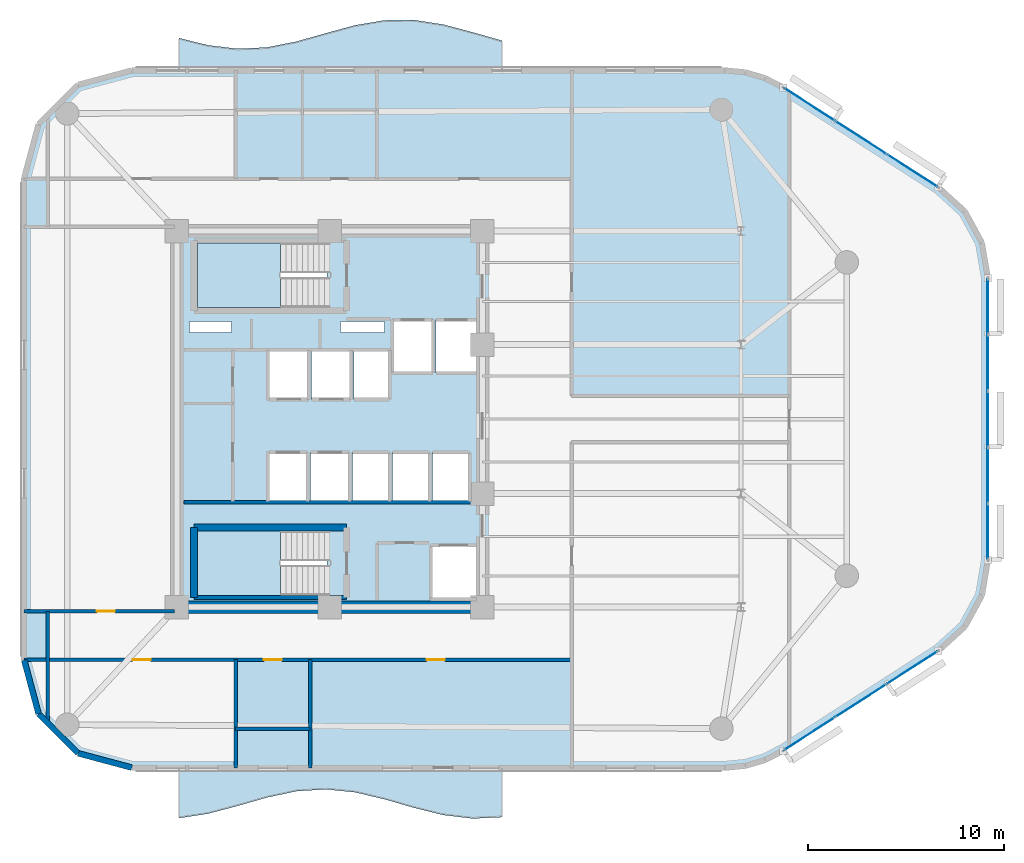
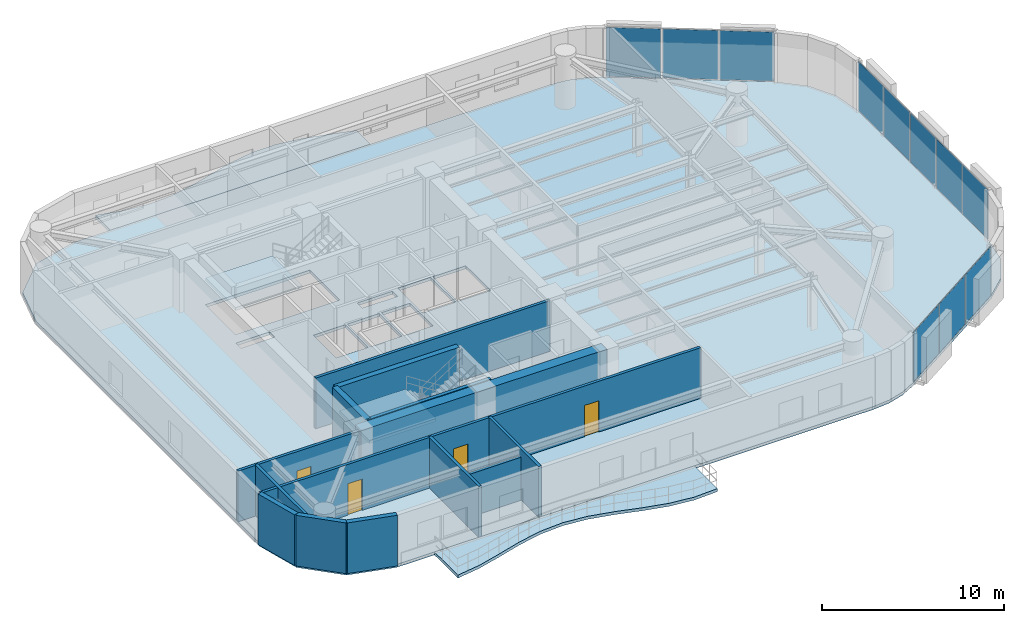
# One storey, part 9 of 14: 14 walls, 11 plates, 5 slabs, 4 doors, 4 openings, 5 elements without a shape of their own.
"""IFC4 building model written with IfcOpenShell, lengths in metres."""

from ifc_helpers import new_model, si_unit, direction, frame, frame_2d, origin, origin_2d, place, context, subcontext, project, spatial, polyline, rectangle, outline, extrude, material, layer, layer_set, type_object, element, fill, aggregate, save


model = new_model("IFC4")

# Units and contexts
model_context = context("Model", 3, precision=1e-05, world=origin(), true_north=direction((0.0, 1.0)))
body_context = subcontext(model_context, "Body", "Model", "MODEL_VIEW")
ifc_project = project(units=[si_unit("LENGTHUNIT", "METRE"), si_unit("AREAUNIT", "SQUARE_METRE"), si_unit("VOLUMEUNIT", "CUBIC_METRE"), si_unit("PLANEANGLEUNIT", "RADIAN"), si_unit("MASSUNIT", "GRAM", prefix="KILO")], contexts=[model_context])

# Site, building, storey
site_placement = place(None, origin())
site = spatial("IfcSite", under=ifc_project, at=site_placement, CompositionType="ELEMENT")
building_placement = place(site_placement, origin())
building = spatial("IfcBuilding", under=site, at=building_placement, Name="An Khanh Terracotta Commons", CompositionType="ELEMENT")
storey_placement = place(building_placement, frame((0.0, 0.0, 158.199951171875)))
storey = spatial("IfcBuildingStorey", under=building, at=storey_placement, Name="L41", CompositionType="ELEMENT", Elevation=158.199951171875)

# Curtain wall, plates
ifc_material_1 = material(Name="Anodised Aluminium 6063-T6", Category="aluminium")
ifc_layer_1 = layer(ifc_material_1, 0.2099609375, Name="Anodised Aluminium 6063-T6")
ifc_layer_set_1 = layer_set([ifc_layer_1], Name="Anodised Aluminium 6063-T6")
curtain_wall_type = type_object("IfcCurtainWallType", Name="CW-SYS-03", PredefinedType="USERDEFINED", material=ifc_layer_set_1)
curtain_wall_1_placement = place(storey_placement, origin())
curtain_wall_1 = element("IfcCurtainWall", 1, at=curtain_wall_1_placement, inside=storey, type_object=curtain_wall_type, Name="L41 CW-03 Unitised Curtain Wall CW-L41-08", ObjectType="UNITISED CURTAIN WALL", PredefinedType="USERDEFINED")
ifc_material_2 = material(Name="Acoustic Laminated Low-E Glazing", Category="glass")
ifc_layer_2 = layer(ifc_material_2, 0.035888671875, Name="Acoustic Laminated Low-E Glazing")
ifc_layer_set_2 = layer_set([ifc_layer_2], Name="Acoustic Laminated Low-E Glazing")
plate_type = type_object("IfcPlateType", Name="CWP-IGU-36", PredefinedType="CURTAIN_PANEL", material=ifc_layer_set_2)
plate_1_placement = place(storey_placement, frame((53.894287109375, 7.935546875, 0.0498046875), z_axis=(0.0, 0.0, 1.0), x_axis=(0.840702081986, 0.541497931062, 0.0)))
plate_1 = element("IfcPlate", 2, at=plate_1_placement, type_object=plate_type, Name="CW-03 panel 1.1", PredefinedType="CURTAIN_PANEL", context=body_context, shape_type="SweptSolid", body=[
    extrude(rectangle(XDim=3.034423828125, YDim=0.035888671875, at=origin_2d()), origin(), (0.0, 0.0, 1.0), 3.300048828125),
])
plate_2_placement = place(storey_placement, frame((56.51904296875, 9.6259765625, 0.0498046875), z_axis=(0.0, 0.0, 1.0), x_axis=(0.840702081986, 0.541497931062, 0.0)))
plate_2 = element("IfcPlate", 3, at=plate_2_placement, type_object=plate_type, Name="CW-03 panel 2.1", PredefinedType="CURTAIN_PANEL", context=body_context, shape_type="SweptSolid", body=[
    extrude(rectangle(XDim=3.0693359375, YDim=0.035888671875, at=origin_2d()), origin(), (0.0, 0.0, 1.0), 3.300048828125),
])
plate_3_placement = place(storey_placement, frame((59.1435546875, 11.31640625, 0.0498046875), z_axis=(0.0, 0.0, 1.0), x_axis=(0.840702081986, 0.541497931062, 0.0)))
plate_3 = element("IfcPlate", 4, at=plate_3_placement, type_object=plate_type, Name="CW-03 panel 3.1", PredefinedType="CURTAIN_PANEL", context=body_context, shape_type="SweptSolid", body=[
    extrude(rectangle(XDim=3.034423828125, YDim=0.035888671875, at=origin_2d()), origin(), (0.0, 0.0, 1.0), 3.300048828125),
])
aggregate(curtain_wall_1, [plate_1, plate_2, plate_3])

curtain_wall_2_placement = place(storey_placement, origin())
curtain_wall_2 = element("IfcCurtainWall", 5, at=curtain_wall_2_placement, inside=storey, type_object=curtain_wall_type, Name="L41 CW-03 Unitised Curtain Wall CW-L41-12", ObjectType="UNITISED CURTAIN WALL", PredefinedType="USERDEFINED")
plate_4_placement = place(storey_placement, frame((63.0, 18.257568359375, 0.0498046875), z_axis=(0.0, 0.0, 1.0), x_axis=(0.0, 1.0, 0.0)))
plate_4 = element("IfcPlate", 6, at=plate_4_placement, type_object=plate_type, Name="CW-03 panel 1.1", PredefinedType="CURTAIN_PANEL", context=body_context, shape_type="SweptSolid", body=[
    extrude(rectangle(XDim=2.77490234375, YDim=0.035888671875, at=origin_2d()), origin(), (0.0, 0.0, 1.0), 3.300048828125),
])
plate_5_placement = place(storey_placement, frame((63.0, 21.1201171875, 0.0498046875), z_axis=(0.0, 0.0, 1.0), x_axis=(0.0, 1.0, 0.0)))
plate_5 = element("IfcPlate", 7, at=plate_5_placement, type_object=plate_type, Name="CW-03 panel 2.1", PredefinedType="CURTAIN_PANEL", context=body_context, shape_type="SweptSolid", body=[
    extrude(rectangle(XDim=2.81005859375, YDim=0.035888671875, at=origin_2d()), origin(), (0.0, 0.0, 1.0), 3.300048828125),
])
plate_6_placement = place(storey_placement, frame((63.0, 24.0, 0.0498046875), z_axis=(0.0, 0.0, 1.0), x_axis=(0.0, 1.0, 0.0)))
plate_6 = element("IfcPlate", 8, at=plate_6_placement, type_object=plate_type, Name="CW-03 panel 3.1", PredefinedType="CURTAIN_PANEL", context=body_context, shape_type="SweptSolid", body=[
    extrude(rectangle(XDim=2.81005859375, YDim=0.035888671875, at=origin_2d()), origin(), (0.0, 0.0, 1.0), 3.300048828125),
])
plate_7_placement = place(storey_placement, frame((63.0, 26.8798828125, 0.0498046875), z_axis=(0.0, 0.0, 1.0), x_axis=(0.0, 1.0, 0.0)))
plate_7 = element("IfcPlate", 9, at=plate_7_placement, type_object=plate_type, Name="CW-03 panel 4.1", PredefinedType="CURTAIN_PANEL", context=body_context, shape_type="SweptSolid", body=[
    extrude(rectangle(XDim=2.81005859375, YDim=0.035888671875, at=origin_2d()), origin(), (0.0, 0.0, 1.0), 3.300048828125),
])
plate_8_placement = place(storey_placement, frame((63.0, 29.742431640625, 0.0498046875), z_axis=(0.0, 0.0, 1.0), x_axis=(0.0, 1.0, 0.0)))
plate_8 = element("IfcPlate", 10, at=plate_8_placement, type_object=plate_type, Name="CW-03 panel 5.1", PredefinedType="CURTAIN_PANEL", context=body_context, shape_type="SweptSolid", body=[
    extrude(rectangle(XDim=2.77490234375, YDim=0.035888671875, at=origin_2d()), origin(), (0.0, 0.0, 1.0), 3.300048828125),
])
aggregate(curtain_wall_2, [plate_4, plate_5, plate_6, plate_7, plate_8])

curtain_wall_3_placement = place(storey_placement, origin())
curtain_wall_3 = element("IfcCurtainWall", 11, at=curtain_wall_3_placement, inside=storey, type_object=curtain_wall_type, Name="L41 CW-03 Unitised Curtain Wall CW-L41-16", ObjectType="UNITISED CURTAIN WALL", PredefinedType="USERDEFINED")
plate_9_placement = place(storey_placement, frame((59.1435546875, 36.68359375, 0.0498046875), z_axis=(0.0, 0.0, 1.0), x_axis=(-0.840702081986, 0.541497931062, 0.0)))
plate_9 = element("IfcPlate", 12, at=plate_9_placement, type_object=plate_type, Name="CW-03 panel 1.1", PredefinedType="CURTAIN_PANEL", context=body_context, shape_type="SweptSolid", body=[
    extrude(rectangle(XDim=3.034423828125, YDim=0.035888671875, at=origin_2d()), origin(), (0.0, 0.0, 1.0), 3.300048828125),
])
plate_10_placement = place(storey_placement, frame((56.51904296875, 38.3740234375, 0.0498046875), z_axis=(0.0, 0.0, 1.0), x_axis=(-0.840702081986, 0.541497931062, 0.0)))
plate_10 = element("IfcPlate", 13, at=plate_10_placement, type_object=plate_type, Name="CW-03 panel 2.1", PredefinedType="CURTAIN_PANEL", context=body_context, shape_type="SweptSolid", body=[
    extrude(rectangle(XDim=3.0693359375, YDim=0.035888671875, at=origin_2d()), origin(), (0.0, 0.0, 1.0), 3.300048828125),
])
plate_11_placement = place(storey_placement, frame((53.894287109375, 40.064453125, 0.0498046875), z_axis=(0.0, 0.0, 1.0), x_axis=(-0.840702081986, 0.541497931062, 0.0)))
plate_11 = element("IfcPlate", 14, at=plate_11_placement, type_object=plate_type, Name="CW-03 panel 3.1", PredefinedType="CURTAIN_PANEL", context=body_context, shape_type="SweptSolid", body=[
    extrude(rectangle(XDim=3.034423828125, YDim=0.035888671875, at=origin_2d()), origin(), (0.0, 0.0, 1.0), 3.300048828125),
])
aggregate(curtain_wall_3, [plate_9, plate_10, plate_11])

# Slabs
ifc_material_3 = material(Name="Concrete C40/50", Category="concrete")
ifc_layer_3 = layer(ifc_material_3, 0.199951171875, Name="Concrete C40/50")
ifc_layer_set_3 = layer_set([ifc_layer_3], Name="Concrete C40/50")
slab_type_1 = type_object("IfcSlabType", Name="SLAB-BALC-200", PredefinedType="FLOOR", material=ifc_layer_set_3)
slab_1_placement = place(storey_placement, frame((0.0, 0.0, -0.199951171875)))
element("IfcSlab", 15, at=slab_1_placement, inside=storey, type_object=slab_type_1, Name="L41 S Sinusoidal Wave Balcony Slab", PredefinedType="FLOOR", context=body_context, shape_type="SweptSolid", body=[
    extrude(outline(polyline([(21.699951171875, 6.199951171875), (21.699951171875, 3.6259765625), (23.199951171875, 3.85498046875), (24.699951171875, 4.251953125), (26.199951171875, 4.681884765625), (27.699951171875, 5.0), (29.199951171875, 5.097900390625), (30.699951171875, 4.945068359375), (32.199951171875, 4.591064453125), (33.699951171875, 4.156005859375), (35.199951171875, 3.785888671875), (36.699951171875, 3.60595703125), (38.199951171875, 3.677001953125), (38.199951171875, 6.199951171875), (21.699951171875, 6.199951171875)])), origin(), (0.0, 0.0, 1.0), 0.199951171875),
])
slab_2_placement = place(storey_placement, frame((0.0, 0.0, -0.199951171875)))
element("IfcSlab", 16, at=slab_2_placement, inside=storey, type_object=slab_type_1, Name="L41 N Sinusoidal Wave Balcony Slab", PredefinedType="FLOOR", context=body_context, shape_type="SweptSolid", body=[
    extrude(outline(polyline([(38.199951171875, 41.800048828125), (38.199951171875, 43.318115234375), (36.699951171875, 43.748046875), (35.199951171875, 44.14501953125), (33.699951171875, 44.3740234375), (32.199951171875, 44.360107421875), (30.699951171875, 44.10693359375), (29.199951171875, 43.698974609375), (27.699951171875, 43.27490234375), (26.199951171875, 42.97705078125), (24.699951171875, 42.906005859375), (23.199951171875, 43.0859375), (21.699951171875, 43.4560546875), (21.699951171875, 41.800048828125), (38.199951171875, 41.800048828125)])), origin(), (0.0, 0.0, 1.0), 0.199951171875),
])

# Stair, slab
ifc_material_4 = material(Name="Precast concrete C40/50", Category="concrete")
stair_type = type_object("IfcStairType", Name="STAIR-CORE-1550", PredefinedType="HALF_TURN_STAIR", material=ifc_material_4)
stair_1_placement = place(storey_placement, origin())
stair_1 = element("IfcStair", 17, at=stair_1_placement, inside=storey, type_object=stair_type, Name="L41 Core Smokeproof Exit Stair ST-01", PredefinedType="HALF_TURN_STAIR")
ifc_layer_4 = layer(ifc_material_3, 0.18994140625, Name="Concrete C40/50")
ifc_layer_set_4 = layer_set([ifc_layer_4], Name="Concrete C40/50")
slab_type_2 = type_object("IfcSlabType", Name="SLAB-LANDING-190", PredefinedType="LANDING", material=ifc_layer_set_4)
slab_3_placement = place(storey_placement, frame((0.0, 0.0, 1.60009765625)))
slab_3 = element("IfcSlab", 18, at=slab_3_placement, type_object=slab_type_2, Name="ST-01 landing 1", PredefinedType="LANDING", context=body_context, shape_type="SweptSolid", body=[
    extrude(outline(polyline([(26.889892578125, 33.0), (22.64990234375, 33.0), (22.64990234375, 29.699951171875), (26.889892578125, 29.699951171875), (26.889892578125, 33.0)])), origin(), (0.0, 0.0, 1.0), 0.199951171875),
])
aggregate(stair_1, [slab_3])

stair_2_placement = place(storey_placement, origin())
stair_2 = element("IfcStair", 19, at=stair_2_placement, inside=storey, type_object=stair_type, Name="L41 Core Smokeproof Exit Stair ST-02", PredefinedType="HALF_TURN_STAIR")
slab_4_placement = place(storey_placement, frame((0.0, 0.0, 1.60009765625)))
slab_4 = element("IfcSlab", 20, at=slab_4_placement, type_object=slab_type_2, Name="ST-02 landing 1", PredefinedType="LANDING", context=body_context, shape_type="SweptSolid", body=[
    extrude(outline(polyline([(26.889892578125, 18.300048828125), (22.64990234375, 18.300048828125), (22.64990234375, 15.0), (26.889892578125, 15.0), (26.889892578125, 18.300048828125)])), origin(), (0.0, 0.0, 1.0), 0.199951171875),
])
aggregate(stair_2, [slab_4])

# Slab
ifc_layer_5 = layer(ifc_material_3, 0.199951171875, Name="Concrete C40/50")
ifc_layer_set_5 = layer_set([ifc_layer_5], Name="Concrete C40/50")
slab_type_3 = type_object("IfcSlabType", Name="SLAB-TYP-200", PredefinedType="FLOOR", material=ifc_layer_set_5)
slab_5_placement = place(storey_placement, frame((0.0, 0.0, -0.199951171875)))
element("IfcSlab", 21, at=slab_5_placement, inside=storey, type_object=slab_type_3, Name="L41 Structural Floor Slab", PredefinedType="FLOOR", context=body_context, shape_type="SweptSolid", body=[
    extrude(outline(polyline([(13.800048828125, 11.699951171875), (14.537109375, 8.949951171875), (16.550048828125, 6.93701171875), (19.300048828125, 6.199951171875), (49.58203125, 6.199951171875), (50.625, 6.300048828125), (51.6298828125, 6.594970703125), (52.56005859375, 7.075927734375), (60.47802734375, 12.176025390625), (61.825927734375, 13.403076171875), (62.697998046875, 15.0029296875), (63.0, 16.800048828125), (63.0, 31.199951171875), (62.697998046875, 32.9970703125), (61.825927734375, 34.596923828125), (60.47802734375, 35.823974609375), (52.56005859375, 40.924072265625), (51.6298828125, 41.405029296875), (50.625, 41.699951171875), (49.58203125, 41.800048828125), (19.300048828125, 41.800048828125), (16.550048828125, 41.06298828125), (14.537109375, 39.050048828125), (13.800048828125, 36.300048828125), (13.800048828125, 11.699951171875)]), holes=[polyline([(22.64990234375, 29.699951171875), (29.27001953125, 29.699951171875), (29.27001953125, 33.0), (22.64990234375, 33.0), (22.64990234375, 29.699951171875)]), polyline([(22.64990234375, 15.0), (29.27001953125, 15.0), (29.27001953125, 18.300048828125), (22.64990234375, 18.300048828125), (22.64990234375, 15.0)]), polyline([(32.60009765625, 26.35009765625), (34.679931640625, 26.35009765625), (34.679931640625, 29.080078125), (32.60009765625, 29.080078125), (32.60009765625, 26.35009765625)]), polyline([(34.820068359375, 26.35009765625), (36.89990234375, 26.35009765625), (36.89990234375, 29.080078125), (34.820068359375, 29.080078125), (34.820068359375, 26.35009765625)]), polyline([(34.550048828125, 14.800048828125), (36.89990234375, 14.800048828125), (36.89990234375, 17.550048828125), (34.550048828125, 17.550048828125), (34.550048828125, 14.800048828125)]), polyline([(26.320068359375, 25.0), (28.340087890625, 25.0), (28.340087890625, 27.5), (26.320068359375, 27.5), (26.320068359375, 25.0)]), polyline([(28.47998046875, 25.0), (30.5, 25.0), (30.5, 27.5), (28.47998046875, 27.5), (28.47998046875, 25.0)]), polyline([(26.280029296875, 19.800048828125), (28.280029296875, 19.800048828125), (28.280029296875, 22.300048828125), (26.280029296875, 22.300048828125), (26.280029296875, 19.800048828125)]), polyline([(28.419921875, 19.800048828125), (30.419921875, 19.800048828125), (30.419921875, 22.300048828125), (28.419921875, 22.300048828125), (28.419921875, 19.800048828125)]), polyline([(30.639892578125, 25.0), (32.4599609375, 25.0), (32.4599609375, 27.5), (30.639892578125, 27.5), (30.639892578125, 25.0)]), polyline([(30.56005859375, 19.800048828125), (32.4599609375, 19.800048828125), (32.4599609375, 22.300048828125), (30.56005859375, 22.300048828125), (30.56005859375, 19.800048828125)]), polyline([(32.60009765625, 19.800048828125), (34.5, 19.800048828125), (34.5, 22.300048828125), (32.60009765625, 22.300048828125), (32.60009765625, 19.800048828125)]), polyline([(34.639892578125, 19.800048828125), (36.5400390625, 19.800048828125), (36.5400390625, 22.300048828125), (34.639892578125, 22.300048828125), (34.639892578125, 19.800048828125)]), polyline([(22.25, 28.419921875), (24.39990234375, 28.419921875), (24.39990234375, 28.97998046875), (22.25, 28.97998046875), (22.25, 28.419921875)]), polyline([(29.949951171875, 28.419921875), (32.199951171875, 28.419921875), (32.199951171875, 28.97998046875), (29.949951171875, 28.97998046875), (29.949951171875, 28.419921875)])]), origin(), (0.0, 0.0, 1.0), 0.199951171875),
])

# Walls
ifc_material_5 = material(Name="Concrete C60/75", Category="concrete")
ifc_layer_6 = layer(ifc_material_5, 0.64990234375, Name="Concrete C60/75")
ifc_layer_set_6 = layer_set([ifc_layer_6], Name="Concrete C60/75")
wall_type_1 = type_object("IfcWallType", Name="WALL-CORE-650", PredefinedType="SHEAR", material=ifc_layer_set_6)
wall_1_placement = place(storey_placement, frame((37.199951171875, 14.39990234375, 0.0), z_axis=(0.0, 0.0, 1.0), x_axis=(-1.0, 0.0, 0.0)))
element("IfcWall", 22, at=wall_1_placement, inside=storey, type_object=wall_type_1, Name="L41 Core Wall CWALL-L41-S", PredefinedType="SHEAR", context=body_context, shape_type="SweptSolid", body=[
    extrude(rectangle(XDim=15.599853515625, YDim=0.64990234375, at=frame_2d((7.7998046875, 0.0))), origin(), (0.0, 0.0, 1.0), 3.400146484375),
])
ifc_material_6 = material(Name="Fire-Rated Gypsum Board on Steel Stud", Category="steel")
ifc_layer_7 = layer(ifc_material_6, 0.179931640625, Name="Fire-Rated Gypsum Board on Steel Stud")
ifc_layer_set_7 = layer_set([ifc_layer_7], Name="Fire-Rated Gypsum Board on Steel Stud")
wall_type_2 = type_object("IfcWallType", Name="WALL-CORR-180", PredefinedType="PARTITIONING", material=ifc_layer_set_7)
wall_2_placement = place(storey_placement, frame((21.949951171875, 19.760009765625, 0.0), z_axis=(0.0, 0.0, 1.0), x_axis=(1.0, 0.0, 0.0)))
element("IfcWall", 23, at=wall_2_placement, inside=storey, type_object=wall_type_2, Name="L41 Core Wall SVW-L41-N", PredefinedType="PARTITIONING", context=body_context, shape_type="SweptSolid", body=[
    extrude(rectangle(XDim=14.8701171875, YDim=0.179931640625, at=frame_2d((7.43505859375, 0.0))), origin(), (0.0, 0.0, 1.0), 3.400146484375),
])
wall_3_placement = place(storey_placement, frame((24.60009765625, 8.199951171875, 0.0), z_axis=(0.0, 0.0, 1.0), x_axis=(1.0, 0.0, 0.0)))
element("IfcWall", 24, at=wall_3_placement, inside=storey, type_object=wall_type_2, Name="L41 Interior Partition IW-L41-E001", PredefinedType="PARTITIONING", context=body_context, shape_type="SweptSolid", body=[
    extrude(rectangle(XDim=3.7998046875, YDim=0.179931640625, at=frame_2d((1.89990234375, 0.0))), origin(), (0.0, 0.0, 1.0), 2.882080078125),
])

# Wall, openings, doors
wall_4_placement = place(storey_placement, frame((13.800048828125, 11.719970703125, 0.0), z_axis=(0.0, 0.0, 1.0), x_axis=(1.0, 0.0, 0.0)))
wall_4 = element("IfcWall", 25, at=wall_4_placement, inside=storey, type_object=wall_type_2, Name="L41 Interior Partition IW-L41-E002", PredefinedType="PARTITIONING", context=body_context, shape_type="SweptSolid", body=[
    extrude(rectangle(XDim=27.949951171875, YDim=0.179931640625, at=frame_2d((13.97509765625, 0.0))), origin(), (0.0, 0.0, 1.0), 3.400146484375),
])
opening_1_placement = place(wall_4_placement, frame((12.239990234375, 0.0, 0.0)))
opening_1 = element("IfcOpeningElement", 26, at=opening_1_placement, cuts=wall_4, Name="Opening D-RM", PredefinedType="OPENING", context=body_context, shape_type="SweptSolid", body=[
    extrude(rectangle(XDim=0.919921875, YDim=2.10009765625, at=frame_2d((0.4599609375, 1.050048828125))), frame((0.0, 0.099853515625, 0.0), z_axis=(0.0, -1.0, 0.0), x_axis=(1.0, 0.0, 0.0)), (0.0, 0.0, 1.0), 0.199951171875),
])
opening_2_placement = place(wall_4_placement, frame((5.5400390625, 0.0, 0.0)))
opening_2 = element("IfcOpeningElement", 27, at=opening_2_placement, cuts=wall_4, Name="Opening D-RM", PredefinedType="OPENING", context=body_context, shape_type="SweptSolid", body=[
    extrude(rectangle(XDim=0.919921875, YDim=2.10009765625, at=frame_2d((0.4599609375, 1.050048828125))), frame((0.0, 0.099853515625, 0.0), z_axis=(0.0, -1.0, 0.0), x_axis=(1.0, 0.0, 0.0)), (0.0, 0.0, 1.0), 0.199951171875),
])
opening_3_placement = place(wall_4_placement, frame((20.554931640625, 0.0, 0.0)))
opening_3 = element("IfcOpeningElement", 28, at=opening_3_placement, cuts=wall_4, Name="Opening D-RM", PredefinedType="OPENING", context=body_context, shape_type="SweptSolid", body=[
    extrude(rectangle(XDim=0.919921875, YDim=2.10009765625, at=frame_2d((0.4599609375, 1.050048828125))), frame((0.0, 0.099853515625, 0.0), z_axis=(0.0, -1.0, 0.0), x_axis=(1.0, 0.0, 0.0)), (0.0, 0.0, 1.0), 0.199951171875),
])
ifc_material_7 = material(Name="Engineered Hardwood Timber Leaf", Category="wood")
door_type = type_object("IfcDoorType", Name="DOOR-INT-920", OperationType="NOTDEFINED", PredefinedType="DOOR", material=ifc_material_7)
door_1_placement = place(opening_1_placement, origin())
door_1 = element("IfcDoor", 29, at=door_1_placement, inside=storey, type_object=door_type, Name="L41 HKP Housekeeping Linen Store Door", OperationType="SINGLE_SWING_RIGHT", OverallHeight=2.10009765625, OverallWidth=0.919921875, PredefinedType="DOOR", context=body_context, shape_type="SweptSolid", body=[
    extrude(rectangle(XDim=0.919921875, YDim=2.10009765625, at=frame_2d((0.4599609375, 1.050048828125))), frame((0.0, 0.02490234375, 0.0), z_axis=(0.0, -1.0, 0.0), x_axis=(1.0, 0.0, 0.0)), (0.0, 0.0, 1.0), 0.050048828125),
])
fill(opening_1, door_1)
door_2_placement = place(opening_2_placement, origin())
door_2 = element("IfcDoor", 30, at=door_2_placement, inside=storey, type_object=door_type, Name="L41 SW1 Academic Seminar Room Door", OperationType="SINGLE_SWING_RIGHT", OverallHeight=2.10009765625, OverallWidth=0.919921875, PredefinedType="DOOR", context=body_context, shape_type="SweptSolid", body=[
    extrude(rectangle(XDim=0.919921875, YDim=2.10009765625, at=frame_2d((0.4599609375, 1.050048828125))), frame((0.0, 0.02490234375, 0.0), z_axis=(0.0, -1.0, 0.0), x_axis=(1.0, 0.0, 0.0)), (0.0, 0.0, 1.0), 0.050048828125),
])
fill(opening_2, door_2)
door_3_placement = place(opening_3_placement, origin())
door_3 = element("IfcDoor", 31, at=door_3_placement, inside=storey, type_object=door_type, Name="L41 SWE Music Practice Room Door", OperationType="SINGLE_SWING_LEFT", OverallHeight=2.10009765625, OverallWidth=0.919921875, PredefinedType="DOOR", context=body_context, shape_type="SweptSolid", body=[
    extrude(rectangle(XDim=0.919921875, YDim=2.10009765625, at=frame_2d((0.4599609375, 1.050048828125))), frame((0.0, 0.02490234375, 0.0), z_axis=(0.0, -1.0, 0.0), x_axis=(1.0, 0.0, 0.0)), (0.0, 0.0, 1.0), 0.050048828125),
])
fill(opening_3, door_3)

# Wall, opening, door
wall_5_placement = place(storey_placement, frame((13.800048828125, 14.179931640625, 0.0), z_axis=(0.0, 0.0, 1.0), x_axis=(1.0, 0.0, 0.0)))
wall_5 = element("IfcWall", 32, at=wall_5_placement, inside=storey, type_object=wall_type_2, Name="L41 Interior Partition IW-L41-E003", PredefinedType="PARTITIONING", context=body_context, shape_type="SweptSolid", body=[
    extrude(rectangle(XDim=7.679931640625, YDim=0.179931640625, at=frame_2d((3.83984375, 0.0))), origin(), (0.0, 0.0, 1.0), 3.400146484375),
])
opening_4_placement = place(wall_5_placement, frame((3.719970703125, 0.0, 0.0)))
opening_4 = element("IfcOpeningElement", 33, at=opening_4_placement, cuts=wall_5, Name="Opening D-RM", PredefinedType="OPENING", context=body_context, shape_type="SweptSolid", body=[
    extrude(rectangle(XDim=0.919921875, YDim=2.10009765625, at=frame_2d((0.4599609375, 1.050048828125))), frame((0.0, 0.099853515625, 0.0), z_axis=(0.0, -1.0, 0.0), x_axis=(1.0, 0.0, 0.0)), (0.0, 0.0, 1.0), 0.199951171875),
])
door_4_placement = place(opening_4_placement, origin())
door_4 = element("IfcDoor", 34, at=door_4_placement, inside=storey, type_object=door_type, Name="L41 WW1 Riverfront Reading Hall Door", OperationType="SINGLE_SWING_RIGHT", OverallHeight=2.10009765625, OverallWidth=0.919921875, PredefinedType="DOOR", context=body_context, shape_type="SweptSolid", body=[
    extrude(rectangle(XDim=0.919921875, YDim=2.10009765625, at=frame_2d((0.4599609375, 1.050048828125))), frame((0.0, 0.02490234375, 0.0), z_axis=(0.0, -1.0, 0.0), x_axis=(1.0, 0.0, 0.0)), (0.0, 0.0, 1.0), 0.050048828125),
])
fill(opening_4, door_4)

# Walls
wall_6_placement = place(storey_placement, frame((15.0, 8.487060546875, 0.0), z_axis=(0.0, 0.0, 1.0), x_axis=(0.0, 1.0, 0.0)))
element("IfcWall", 35, at=wall_6_placement, inside=storey, type_object=wall_type_2, Name="L41 Interior Partition IW-L41-E009", PredefinedType="PARTITIONING", context=body_context, shape_type="SweptSolid", body=[
    extrude(rectangle(XDim=5.69287109375, YDim=0.179931640625, at=frame_2d((2.846435546875, 0.0))), origin(), (0.0, 0.0, 1.0), 3.400146484375),
])
for number, where, z_axis, x_axis, name in (
    (36, (24.60009765625, 6.199951171875, 0.0), (0.0, 0.0, 1.0), (0.0, 1.0, 0.0), "L41 Interior Partition IW-L41-E011"),
    (37, (28.39990234375, 6.199951171875, 0.0), (0.0, 0.0, 1.0), (0.0, 1.0, 0.0), "L41 Interior Partition IW-L41-E014"),
):
    element("IfcWall", number, at=place(storey_placement, frame(where, z_axis=z_axis, x_axis=x_axis)), inside=storey, type_object=wall_type_2, Name=name, PredefinedType="PARTITIONING", context=body_context, shape_type="SweptSolid", body=[
        extrude(rectangle(XDim=5.52001953125, YDim=0.179931640625, at=frame_2d((2.760009765625, 0.0))), origin(), (0.0, 0.0, 1.0), 3.400146484375),
    ])
ifc_layer_8 = layer(ifc_material_4, 0.300048828125, Name="Precast concrete C40/50")
ifc_layer_set_8 = layer_set([ifc_layer_8], Name="Precast concrete C40/50")
wall_type_3 = type_object("IfcWallType", Name="WALL-EXT-300", PredefinedType="SOLIDWALL", material=ifc_layer_set_8)
wall_7_placement = place(storey_placement, frame((13.800048828125, 11.699951171875, 0.0), z_axis=(0.0, 0.0, 1.0), x_axis=(0.258884674387, -0.965908238586, 0.0)))
element("IfcWall", 38, at=wall_7_placement, inside=storey, type_object=wall_type_3, Name="L41 Insulated Terracotta Exterior Wall 1", PredefinedType="SOLIDWALL", context=body_context, shape_type="SweptSolid", body=[
    extrude(rectangle(XDim=2.84716796875, YDim=0.300048828125, at=frame_2d((1.423583984375, 0.0))), origin(), (0.0, 0.0, 1.0), 3.400146484375),
])
wall_8_placement = place(storey_placement, frame((14.537109375, 8.949951171875, 0.0), z_axis=(0.0, 0.0, 1.0), x_axis=(0.707106781187, -0.707106781187, 0.0)))
element("IfcWall", 39, at=wall_8_placement, inside=storey, type_object=wall_type_3, Name="L41 Insulated Terracotta Exterior Wall 2", PredefinedType="SOLIDWALL", context=body_context, shape_type="SweptSolid", body=[
    extrude(rectangle(XDim=2.8466796875, YDim=0.300048828125, at=frame_2d((1.42333984375, 0.0))), origin(), (0.0, 0.0, 1.0), 3.400146484375),
])
wall_9_placement = place(storey_placement, frame((16.550048828125, 6.93701171875, 0.0), z_axis=(0.0, 0.0, 1.0), x_axis=(0.965908238586, -0.258884674387, 0.0)))
element("IfcWall", 40, at=wall_9_placement, inside=storey, type_object=wall_type_3, Name="L41 Insulated Terracotta Exterior Wall 3", PredefinedType="SOLIDWALL", context=body_context, shape_type="SweptSolid", body=[
    extrude(rectangle(XDim=2.84716796875, YDim=0.300048828125, at=frame_2d((1.423583984375, 0.0))), origin(), (0.0, 0.0, 1.0), 3.400146484375),
])
ifc_material_8 = material(Name="Acoustic Double-Stud Gypsum and Mineral Wool")
ifc_layer_9 = layer(ifc_material_8, 0.219970703125, Name="Acoustic Double-Stud Gypsum and Mineral Wool")
ifc_layer_set_9 = layer_set([ifc_layer_9], Name="Acoustic Double-Stud Gypsum and Mineral Wool")
wall_type_4 = type_object("IfcWallType", Name="WALL-PARTY-220", PredefinedType="PARTITIONING", material=ifc_layer_set_9)
wall_10_placement = place(storey_placement, frame((22.47998046875, 14.889892578125, 0.0), z_axis=(0.0, 0.0, 1.0), x_axis=(1.0, 0.0, 0.0)))
element("IfcWall", 41, at=wall_10_placement, inside=storey, type_object=wall_type_4, Name="L41 Core Wall STW-L41-S-S", PredefinedType="PARTITIONING", context=body_context, shape_type="SweptSolid", body=[
    extrude(rectangle(XDim=7.7900390625, YDim=0.219970703125, at=frame_2d((3.89501953125, 0.0))), origin(), (0.0, 0.0, 1.0), 3.400146484375),
])
ifc_material_9 = material(Name="Concrete C50/60", Category="concrete")
ifc_layer_10 = layer(ifc_material_9, 0.35009765625, Name="Concrete C50/60")
ifc_layer_set_10 = layer_set([ifc_layer_10], Name="Concrete C50/60")
wall_type_5 = type_object("IfcWallType", Name="WALL-SHAFT-350", PredefinedType="SOLIDWALL", material=ifc_layer_set_10)
wall_11_placement = place(storey_placement, frame((22.47998046875, 18.469970703125, 0.0), z_axis=(0.0, 0.0, 1.0), x_axis=(1.0, 0.0, 0.0)))
element("IfcWall", 42, at=wall_11_placement, inside=storey, type_object=wall_type_5, Name="L41 Core Wall STW-L41-S-N", PredefinedType="SOLIDWALL", context=body_context, shape_type="SweptSolid", body=[
    extrude(rectangle(XDim=7.7900390625, YDim=0.35009765625, at=frame_2d((3.89501953125, 0.0))), origin(), (0.0, 0.0, 1.0), 3.400146484375),
])
wall_12_placement = place(storey_placement, frame((22.47998046875, 14.889892578125, 0.0), z_axis=(0.0, 0.0, 1.0), x_axis=(0.0, 1.0, 0.0)))
element("IfcWall", 43, at=wall_12_placement, inside=storey, type_object=wall_type_5, Name="L41 Core Wall STW-L41-S-W", PredefinedType="SOLIDWALL", context=body_context, shape_type="SweptSolid", body=[
    extrude(rectangle(XDim=3.580078125, YDim=0.35009765625, at=frame_2d((1.7900390625, 0.0))), origin(), (0.0, 0.0, 1.0), 3.400146484375),
])

save(model, "model.ifc")
